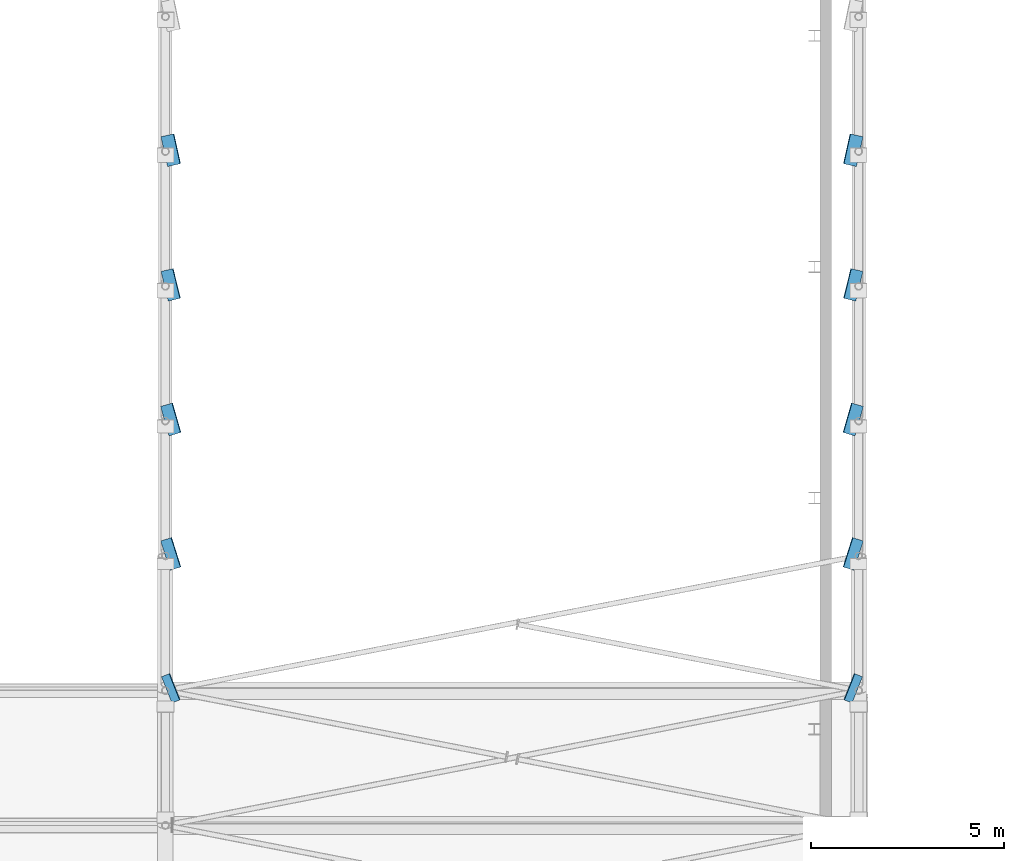
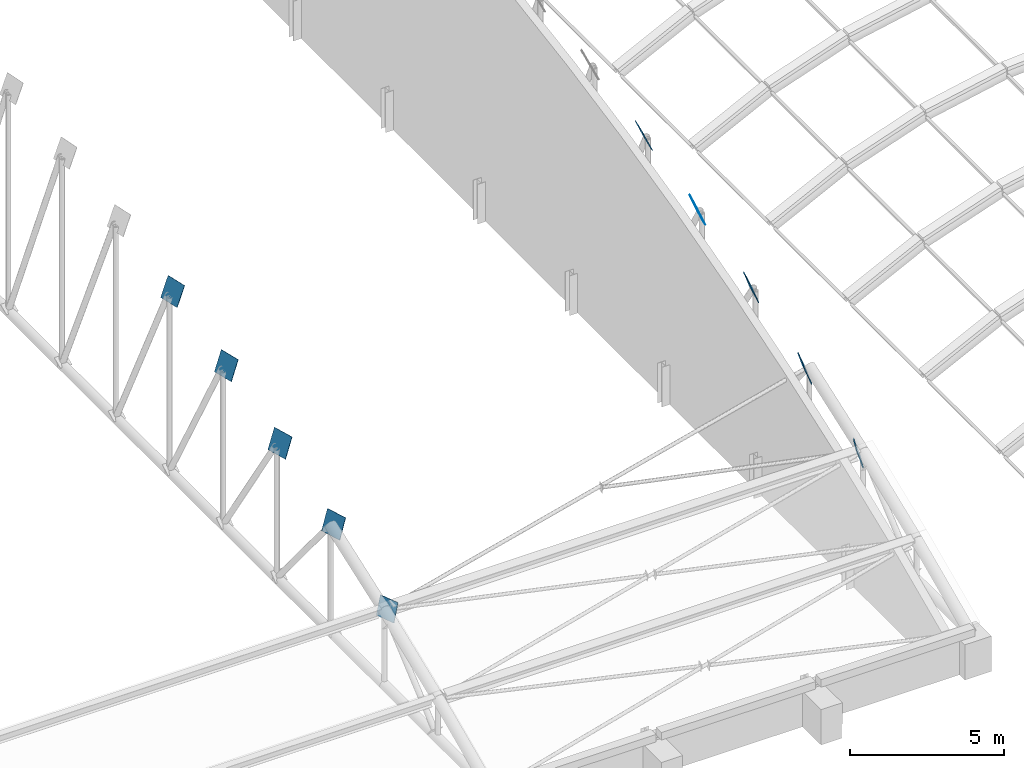
# One storey, part 137 of 196: 10 discrete accessories.
"""IFC4 building model written with IfcOpenShell, lengths in metres."""

from ifc_helpers import new_model, si_unit, direction, frame, origin, origin_2d, place, context, subcontext, project, spatial, rectangle, extrude, material, layer, layer_set, type_object, element, save


model = new_model("IFC4")

# Units and contexts
model_context = context("Model", 3, precision=1e-05, world=origin(), true_north=direction((0.0, 1.0)))
body_context = subcontext(model_context, "Body", "Model", "MODEL_VIEW")
ifc_project = project(units=[si_unit("LENGTHUNIT", "METRE"), si_unit("AREAUNIT", "SQUARE_METRE"), si_unit("VOLUMEUNIT", "CUBIC_METRE"), si_unit("PLANEANGLEUNIT", "RADIAN"), si_unit("MASSUNIT", "GRAM", prefix="KILO")], contexts=[model_context])

# Site, building, storey
site_placement = place(None, origin())
site = spatial("IfcSite", under=ifc_project, at=site_placement, CompositionType="ELEMENT")
building_placement = place(site_placement, origin())
building = spatial("IfcBuilding", under=site, at=building_placement, Name="Okhra Congress Centre", CompositionType="ELEMENT")
storey_placement = place(building_placement, frame((0.0, 0.0, 12.0)))
storey = spatial("IfcBuildingStorey", under=building, at=storey_placement, Name="L02", CompositionType="ELEMENT", Elevation=12.0)

# Discrete accessories
ifc_material = material(Name="Steel S355J2", Category="steel")
ifc_layer = layer(ifc_material, 0.02001953125)
ifc_layer_set = layer_set([ifc_layer], Name="Brace end connection plate 20 mm S355")
discrete_accessory_type = type_object("IfcDiscreteAccessoryType", Name="Brace end connection plate 20 mm S355", PredefinedType="BRACKET", material=ifc_layer_set)
discrete_accessory_1_placement = place(storey_placement, frame((136.151611328125, 139.064697265625, 4.318603515625), z_axis=(-0.888791088931, -0.353081391493, 0.292205289512), x_axis=(0.36919466432, -0.929352086046, 0.0)))
element("IfcDiscreteAccessory", 1, at=discrete_accessory_1_placement, inside=storey, type_object=discrete_accessory_type, Name="Brace end connection plate", PredefinedType="BRACKET", context=body_context, shape_type="SweptSolid", body=[
    extrude(rectangle(XDim=0.73193359375, YDim=0.73193359375, at=origin_2d()), origin(), (0.0, 0.0, 1.0), 0.02001953125),
])
discrete_accessory_2_placement = place(storey_placement, frame((136.1513671875, 142.551025390625, 5.566650390625), z_axis=(-0.891903506248, -0.281010693749, 0.354317831249), x_axis=(0.300506003221, -0.953779923267, 0.0)))
element("IfcDiscreteAccessory", 2, at=discrete_accessory_2_placement, inside=storey, type_object=discrete_accessory_type, Name="Brace end connection plate", PredefinedType="BRACKET", context=body_context, shape_type="SweptSolid", body=[
    extrude(rectangle(XDim=0.800048828125, YDim=0.800048828125, at=origin_2d()), origin(), (0.0, 0.0, 1.0), 0.02001953125),
])
discrete_accessory_3_placement = place(storey_placement, frame((136.15087890625, 146.04296875, 6.671630859375), z_axis=(-0.885645843718, -0.254774831754, 0.388228315054), x_axis=(0.2764594172, -0.961025593125, 0.0)))
element("IfcDiscreteAccessory", 3, at=discrete_accessory_3_placement, inside=storey, type_object=discrete_accessory_type, Name="Brace end connection plate", PredefinedType="BRACKET", context=body_context, shape_type="SweptSolid", body=[
    extrude(rectangle(XDim=0.794921875, YDim=0.794921875, at=origin_2d()), origin(), (0.0, 0.0, 1.0), 0.02001953125),
])
discrete_accessory_4_placement = place(storey_placement, frame((136.150634765625, 149.53759765625, 7.63720703125), z_axis=(-0.893371661161, -0.2202834233, 0.391614974756), x_axis=(0.239404887501, -0.97091982153, 0.0)))
element("IfcDiscreteAccessory", 4, at=discrete_accessory_4_placement, inside=storey, type_object=discrete_accessory_type, Name="Brace end connection plate", PredefinedType="BRACKET", context=body_context, shape_type="SweptSolid", body=[
    extrude(rectangle(XDim=0.79296875, YDim=0.79296875, at=origin_2d()), origin(), (0.0, 0.0, 1.0), 0.02001953125),
])
discrete_accessory_5_placement = place(storey_placement, frame((136.150390625, 153.033935546875, 8.46630859375), z_axis=(-0.88652742044, -0.197006093431, 0.418637948541), x_axis=(0.216930457819, -0.976187060184, 0.0)))
element("IfcDiscreteAccessory", 5, at=discrete_accessory_5_placement, inside=storey, type_object=discrete_accessory_type, Name="Brace end connection plate", PredefinedType="BRACKET", context=body_context, shape_type="SweptSolid", body=[
    extrude(rectangle(XDim=0.7919921875, YDim=0.7919921875, at=origin_2d()), origin(), (0.0, 0.0, 1.0), 0.019775390625),
])
discrete_accessory_6_placement = place(storey_placement, frame((153.848388671875, 139.064697265625, 4.318603515625), z_axis=(0.888791088931, -0.353081391493, 0.292205289512), x_axis=(0.36919466432, 0.929352086046, 0.0)))
element("IfcDiscreteAccessory", 6, at=discrete_accessory_6_placement, inside=storey, type_object=discrete_accessory_type, Name="Brace end connection plate", PredefinedType="BRACKET", context=body_context, shape_type="SweptSolid", body=[
    extrude(rectangle(XDim=0.73193359375, YDim=0.73193359375, at=origin_2d()), origin(), (0.0, 0.0, 1.0), 0.02001953125),
])
discrete_accessory_7_placement = place(storey_placement, frame((153.8486328125, 142.551025390625, 5.566650390625), z_axis=(0.891903506248, -0.281010693749, 0.354317831249), x_axis=(0.300506003221, 0.953779923267, 0.0)))
element("IfcDiscreteAccessory", 7, at=discrete_accessory_7_placement, inside=storey, type_object=discrete_accessory_type, Name="Brace end connection plate", PredefinedType="BRACKET", context=body_context, shape_type="SweptSolid", body=[
    extrude(rectangle(XDim=0.800048828125, YDim=0.800048828125, at=origin_2d()), origin(), (0.0, 0.0, 1.0), 0.02001953125),
])
discrete_accessory_8_placement = place(storey_placement, frame((153.84912109375, 146.04296875, 6.671630859375), z_axis=(0.885645843718, -0.254774831754, 0.388228315054), x_axis=(0.2764594172, 0.961025593125, 0.0)))
element("IfcDiscreteAccessory", 8, at=discrete_accessory_8_placement, inside=storey, type_object=discrete_accessory_type, Name="Brace end connection plate", PredefinedType="BRACKET", context=body_context, shape_type="SweptSolid", body=[
    extrude(rectangle(XDim=0.794921875, YDim=0.794921875, at=origin_2d()), origin(), (0.0, 0.0, 1.0), 0.02001953125),
])
discrete_accessory_9_placement = place(storey_placement, frame((153.849365234375, 149.53759765625, 7.63720703125), z_axis=(0.893371661161, -0.2202834233, 0.391614974756), x_axis=(0.239404887501, 0.97091982153, 0.0)))
element("IfcDiscreteAccessory", 9, at=discrete_accessory_9_placement, inside=storey, type_object=discrete_accessory_type, Name="Brace end connection plate", PredefinedType="BRACKET", context=body_context, shape_type="SweptSolid", body=[
    extrude(rectangle(XDim=0.79296875, YDim=0.79296875, at=origin_2d()), origin(), (0.0, 0.0, 1.0), 0.02001953125),
])
discrete_accessory_10_placement = place(storey_placement, frame((153.849609375, 153.033935546875, 8.46630859375), z_axis=(0.88652742044, -0.197006093431, 0.418637948541), x_axis=(0.216930457819, 0.976187060184, 0.0)))
element("IfcDiscreteAccessory", 10, at=discrete_accessory_10_placement, inside=storey, type_object=discrete_accessory_type, Name="Brace end connection plate", PredefinedType="BRACKET", context=body_context, shape_type="SweptSolid", body=[
    extrude(rectangle(XDim=0.7919921875, YDim=0.7919921875, at=origin_2d()), origin(), (0.0, 0.0, 1.0), 0.019775390625),
])

save(model, "model.ifc")
